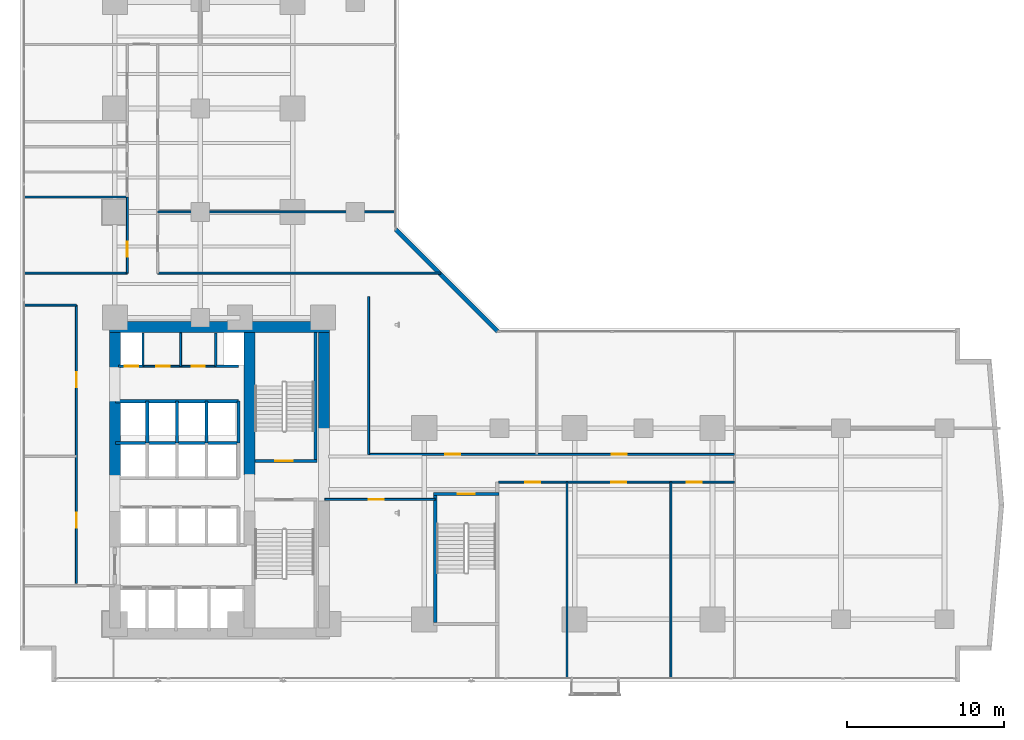
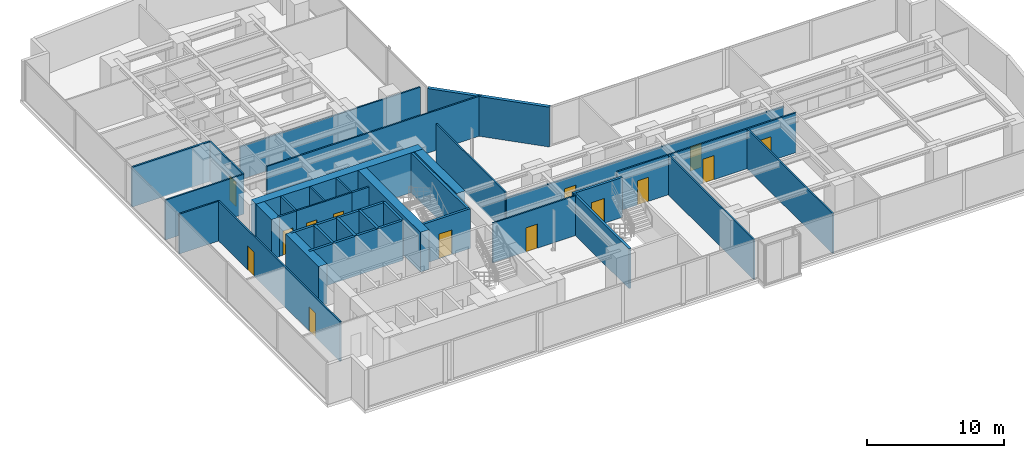
# One storey, part 23 of 30: 35 walls, 14 doors, 14 openings.
"""IFC4 building model written with IfcOpenShell, lengths in metres."""

from ifc_helpers import new_model, si_unit, direction, frame, frame_2d, origin, place, context, subcontext, project, spatial, rectangle, extrude, material, layer, layer_set, type_object, element, fill, save


model = new_model("IFC4")

# Units and contexts
model_context = context("Model", 3, precision=1e-05, world=origin(), true_north=direction((0.0, 1.0)))
body_context = subcontext(model_context, "Body", "Model", "MODEL_VIEW")
ifc_project = project(units=[si_unit("LENGTHUNIT", "METRE"), si_unit("AREAUNIT", "SQUARE_METRE"), si_unit("VOLUMEUNIT", "CUBIC_METRE"), si_unit("PLANEANGLEUNIT", "RADIAN"), si_unit("MASSUNIT", "GRAM", prefix="KILO")], contexts=[model_context])

# Site, building, storey
site_placement = place(None, origin())
site = spatial("IfcSite", under=ifc_project, at=site_placement, CompositionType="ELEMENT")
building_placement = place(site_placement, origin())
building = spatial("IfcBuilding", under=site, at=building_placement, Name="Kolvaren Waterfront Exchange", CompositionType="ELEMENT")
storey_placement = place(building_placement, frame((0.0, 0.0, 71.39990234375)))
storey = spatial("IfcBuildingStorey", under=building, at=storey_placement, Name="L18", CompositionType="ELEMENT", Elevation=71.39990234375)

# Wall
ifc_material_1 = material(Name="Precast concrete C40/50", Category="concrete")
ifc_layer_1 = layer(ifc_material_1, 0.280029296875, Name="Precast concrete C40/50")
ifc_layer_set_1 = layer_set([ifc_layer_1], Name="Precast concrete C40/50")
wall_type_1 = type_object("IfcWallType", Name="ARC-EXT-TERR-280", PredefinedType="SOLIDWALL", material=ifc_layer_set_1)
wall_1_placement = place(storey_placement, frame((31.885009765625, 23.574951171875, 0.0), z_axis=(0.0, 0.0, 1.0), x_axis=(-0.707106781187, 0.707106781187, 0.0)))
element("IfcWall", 1, at=wall_1_placement, inside=storey, type_object=wall_type_1, Name="L18 notched corner spandrel pier ELBOW", PredefinedType="SOLIDWALL", context=body_context, shape_type="SweptSolid", body=[
    extrude(rectangle(XDim=9.20654296875, YDim=0.280029296875, at=frame_2d((4.603271484375, 0.0))), origin(), (0.0, 0.0, 1.0), 3.5400390625),
])

# Wall, opening, door
ifc_layer_2 = layer(ifc_material_1, 0.199951171875, Name="Precast concrete C40/50")
ifc_layer_set_2 = layer_set([ifc_layer_2], Name="Precast concrete C40/50")
wall_type_2 = type_object("IfcWallType", Name="ARC-FIRE-200", PredefinedType="PARTITIONING", material=ifc_layer_set_2)
wall_2_placement = place(storey_placement, frame((16.409912109375, 15.300048828125, 0.0), z_axis=(0.0, 0.0, 1.0), x_axis=(1.0, 0.0, 0.0)))
wall_2 = element("IfcWall", 2, at=wall_2_placement, inside=storey, type_object=wall_type_2, Name="L18 interior wall PW-L18-ST2-THROAT-N", PredefinedType="PARTITIONING", context=body_context, shape_type="SweptSolid", body=[
    extrude(rectangle(XDim=3.9501953125, YDim=0.199951171875, at=frame_2d((1.97509765625, 0.0))), origin(), (0.0, 0.0, 1.0), 3.5400390625),
])
opening_1_placement = place(wall_2_placement, frame((1.293701171875, 0.0, 0.0)))
opening_1 = element("IfcOpeningElement", 3, at=opening_1_placement, cuts=wall_2, Name="Opening FD2", PredefinedType="OPENING", context=body_context, shape_type="SweptSolid", body=[
    extrude(rectangle(XDim=1.10009765625, YDim=2.199951171875, at=frame_2d((0.550048828125, 1.10009765625))), frame((0.0, 0.10986328125, 0.0), z_axis=(0.0, -1.0, 0.0), x_axis=(1.0, 0.0, 0.0)), (0.0, 0.0, 1.0), 0.219970703125),
])
ifc_material_2 = material(Name="Pressed steel smoke-seal fire door", Category="steel")
door_type_1 = type_object("IfcDoorType", Name="ARC-FD-1100", OperationType="NOTDEFINED", PredefinedType="DOOR", material=ifc_material_2)
door_1_placement = place(opening_1_placement, origin())
door_1 = element("IfcDoor", 4, at=door_1_placement, inside=storey, type_object=door_type_1, Name="L18 door DR-L18-ST2-IN (FD2)", OperationType="SINGLE_SWING_LEFT", OverallHeight=2.199951171875, OverallWidth=1.10009765625, PredefinedType="DOOR", context=body_context, shape_type="SweptSolid", body=[
    extrude(rectangle(XDim=1.10009765625, YDim=2.199951171875, at=frame_2d((0.550048828125, 1.10009765625))), frame((0.0, 0.02490234375, 0.0), z_axis=(0.0, -1.0, 0.0), x_axis=(1.0, 0.0, 0.0)), (0.0, 0.0, 1.0), 0.050048828125),
])
fill(opening_1, door_1)

# Wall, openings, doors
ifc_material_3 = material(Name="Acoustic gypsum steel stud", Category="steel")
ifc_layer_3 = layer(ifc_material_3, 0.125, Name="Acoustic gypsum steel stud")
ifc_layer_set_3 = layer_set([ifc_layer_3], Name="Acoustic gypsum steel stud")
wall_type_3 = type_object("IfcWallType", Name="ARC-PART-125", PredefinedType="PARTITIONING", material=ifc_layer_set_3)
wall_3_placement = place(storey_placement, frame((9.25, 21.35009765625, 0.0), z_axis=(0.0, 0.0, 1.0), x_axis=(1.0, 0.0, 0.0)))
wall_3 = element("IfcWall", 5, at=wall_3_placement, inside=storey, type_object=wall_type_3, Name="L18 interior wall PW-L18-SVC-EX-S", PredefinedType="PARTITIONING", context=body_context, shape_type="SweptSolid", body=[
    extrude(rectangle(XDim=4.64990234375, YDim=0.125, at=frame_2d((2.324951171875, 0.0))), origin(), (0.0, 0.0, 1.0), 3.5400390625),
])
opening_2_placement = place(wall_3_placement, frame((0.85009765625, 0.0, 0.0)))
opening_2 = element("IfcOpeningElement", 6, at=opening_2_placement, cuts=wall_3, Name="Opening D01", PredefinedType="OPENING", context=body_context, shape_type="SweptSolid", body=[
    extrude(rectangle(XDim=0.85009765625, YDim=2.14990234375, at=frame_2d((0.425048828125, 1.074951171875))), frame((0.0, 0.072509765625, 0.0), z_axis=(0.0, -1.0, 0.0), x_axis=(1.0, 0.0, 0.0)), (0.0, 0.0, 1.0), 0.14501953125),
])
opening_3_placement = place(wall_3_placement, frame((3.10009765625, 0.0, 0.0)))
opening_3 = element("IfcOpeningElement", 7, at=opening_3_placement, cuts=wall_3, Name="Opening D01", PredefinedType="OPENING", context=body_context, shape_type="SweptSolid", body=[
    extrude(rectangle(XDim=0.85009765625, YDim=2.14990234375, at=frame_2d((0.425048828125, 1.074951171875))), frame((0.0, 0.072509765625, 0.0), z_axis=(0.0, -1.0, 0.0), x_axis=(1.0, 0.0, 0.0)), (0.0, 0.0, 1.0), 0.14501953125),
])
ifc_material_4 = material(Name="Oak veneer timber leaf", Category="wood")
door_type_2 = type_object("IfcDoorType", Name="ARC-DR-900", OperationType="NOTDEFINED", PredefinedType="DOOR", material=ifc_material_4)
door_2_placement = place(opening_2_placement, origin())
door_2 = element("IfcDoor", 8, at=door_2_placement, inside=storey, type_object=door_type_2, Name="L18 door DR-L18-SVC-DR-1 (D01)", OperationType="SINGLE_SWING_LEFT", OverallHeight=2.14990234375, OverallWidth=0.85009765625, PredefinedType="DOOR", context=body_context, shape_type="SweptSolid", body=[
    extrude(rectangle(XDim=0.85009765625, YDim=2.14990234375, at=frame_2d((0.425048828125, 1.074951171875))), frame((0.0, 0.02490234375, 0.0), z_axis=(0.0, -1.0, 0.0), x_axis=(1.0, 0.0, 0.0)), (0.0, 0.0, 1.0), 0.050048828125),
])
fill(opening_2, door_2)
door_3_placement = place(opening_3_placement, origin())
door_3 = element("IfcDoor", 9, at=door_3_placement, inside=storey, type_object=door_type_2, Name="L18 door DR-L18-SVC-DR-2 (D01)", OperationType="SINGLE_SWING_RIGHT", OverallHeight=2.14990234375, OverallWidth=0.85009765625, PredefinedType="DOOR", context=body_context, shape_type="SweptSolid", body=[
    extrude(rectangle(XDim=0.85009765625, YDim=2.14990234375, at=frame_2d((0.425048828125, 1.074951171875))), frame((0.0, 0.02490234375, 0.0), z_axis=(0.0, -1.0, 0.0), x_axis=(1.0, 0.0, 0.0)), (0.0, 0.0, 1.0), 0.050048828125),
])
fill(opening_3, door_3)

# Wall
wall_4_placement = place(storey_placement, frame((11.64990234375, 21.35009765625, 0.0), z_axis=(0.0, 0.0, 1.0), x_axis=(0.0, 1.0, 0.0)))
element("IfcWall", 10, at=wall_4_placement, inside=storey, type_object=wall_type_3, Name="L18 interior wall PW-L18-SVC-EX-M1", PredefinedType="PARTITIONING", context=body_context, shape_type="SweptSolid", body=[
    extrude(rectangle(XDim=2.1298828125, YDim=0.125, at=frame_2d((1.06494140625, 0.0))), origin(), (0.0, 0.0, 1.0), 3.5400390625),
])

# Wall, opening, door
wall_5_placement = place(storey_placement, frame((8.25, 27.300048828125, 0.0), z_axis=(0.0, 0.0, 1.0), x_axis=(0.0, 1.0, 0.0)))
wall_5 = element("IfcWall", 11, at=wall_5_placement, inside=storey, type_object=wall_type_3, Name="L18 interior wall PW-L18-PREWC-E", PredefinedType="PARTITIONING", context=body_context, shape_type="SweptSolid", body=[
    extrude(rectangle(XDim=4.849853515625, YDim=0.125, at=frame_2d((2.4248046875, 0.0))), origin(), (0.0, 0.0, 1.0), 3.5400390625),
])
opening_4_placement = place(wall_5_placement, frame((1.050048828125, 0.0, 0.0)))
opening_4 = element("IfcOpeningElement", 12, at=opening_4_placement, cuts=wall_5, Name="Opening D02", PredefinedType="OPENING", context=body_context, shape_type="SweptSolid", body=[
    extrude(rectangle(XDim=0.949951171875, YDim=2.14990234375, at=frame_2d((0.47509765625, 1.074951171875))), frame((0.0, 0.072509765625, 0.0), z_axis=(0.0, -1.0, 0.0), x_axis=(1.0, 0.0, 0.0)), (0.0, 0.0, 1.0), 0.14501953125),
])
ifc_material_5 = material(Name="Oak veneer acoustic timber", Category="wood")
door_type_3 = type_object("IfcDoorType", Name="ARC-DR-950", OperationType="NOTDEFINED", PredefinedType="DOOR", material=ifc_material_5)
door_4_placement = place(opening_4_placement, origin())
door_4 = element("IfcDoor", 13, at=door_4_placement, inside=storey, type_object=door_type_3, Name="L18 door DR-L18-PREWC-D (D02)", OperationType="SINGLE_SWING_LEFT", OverallHeight=2.14990234375, OverallWidth=0.949951171875, PredefinedType="DOOR", context=body_context, shape_type="SweptSolid", body=[
    extrude(rectangle(XDim=0.949951171875, YDim=2.14990234375, at=frame_2d((0.47509765625, 1.074951171875))), frame((0.0, 0.02490234375, 0.0), z_axis=(0.0, -1.0, 0.0), x_axis=(1.0, 0.0, 0.0)), (0.0, 0.0, 1.0), 0.050048828125),
])
fill(opening_4, door_4)

# Wall
wall_6_placement = place(storey_placement, frame((1.639892578125, 27.300048828125, 0.0), z_axis=(0.0, 0.0, 1.0), x_axis=(1.0, 0.0, 0.0)))
element("IfcWall", 14, at=wall_6_placement, inside=storey, type_object=wall_type_3, Name="L18 interior wall PW-L18-PREWC-S", PredefinedType="PARTITIONING", context=body_context, shape_type="SweptSolid", body=[
    extrude(rectangle(XDim=6.610107421875, YDim=0.125, at=frame_2d((3.30517578125, 0.0))), origin(), (0.0, 0.0, 1.0), 3.5400390625),
])

# Wall, openings, doors
wall_7_placement = place(storey_placement, frame((5.0, 7.5, 0.0), z_axis=(0.0, 0.0, 1.0), x_axis=(0.0, 1.0, 0.0)))
wall_7 = element("IfcWall", 15, at=wall_7_placement, inside=storey, type_object=wall_type_3, Name="L18 interior wall PW-L18-WFLANK-E", PredefinedType="PARTITIONING", context=body_context, shape_type="SweptSolid", body=[
    extrude(rectangle(XDim=17.75, YDim=0.125, at=frame_2d((8.875, 0.0))), origin(), (0.0, 0.0, 1.0), 3.5400390625),
])
opening_5_placement = place(wall_7_placement, frame((3.550048828125, 0.0, 0.0)))
opening_5 = element("IfcOpeningElement", 16, at=opening_5_placement, cuts=wall_7, Name="Opening D02", PredefinedType="OPENING", context=body_context, shape_type="SweptSolid", body=[
    extrude(rectangle(XDim=0.949951171875, YDim=2.14990234375, at=frame_2d((0.47509765625, 1.074951171875))), frame((0.0, 0.072509765625, 0.0), z_axis=(0.0, -1.0, 0.0), x_axis=(1.0, 0.0, 0.0)), (0.0, 0.0, 1.0), 0.14501953125),
])
opening_6_placement = place(wall_7_placement, frame((12.52099609375, 0.0, 0.0)))
opening_6 = element("IfcOpeningElement", 17, at=opening_6_placement, cuts=wall_7, Name="Opening D02", PredefinedType="OPENING", context=body_context, shape_type="SweptSolid", body=[
    extrude(rectangle(XDim=0.949951171875, YDim=2.14990234375, at=frame_2d((0.47509765625, 1.074951171875))), frame((0.0, 0.072509765625, 0.0), z_axis=(0.0, -1.0, 0.0), x_axis=(1.0, 0.0, 0.0)), (0.0, 0.0, 1.0), 0.14501953125),
])
door_5_placement = place(opening_5_placement, origin())
door_5 = element("IfcDoor", 18, at=door_5_placement, inside=storey, type_object=door_type_3, Name="L18 door DR-L18-WFL1-D (D02)", OperationType="SINGLE_SWING_RIGHT", OverallHeight=2.14990234375, OverallWidth=0.949951171875, PredefinedType="DOOR", context=body_context, shape_type="SweptSolid", body=[
    extrude(rectangle(XDim=0.949951171875, YDim=2.14990234375, at=frame_2d((0.47509765625, 1.074951171875))), frame((0.0, 0.02490234375, 0.0), z_axis=(0.0, -1.0, 0.0), x_axis=(1.0, 0.0, 0.0)), (0.0, 0.0, 1.0), 0.050048828125),
])
fill(opening_5, door_5)
door_6_placement = place(opening_6_placement, origin())
door_6 = element("IfcDoor", 19, at=door_6_placement, inside=storey, type_object=door_type_3, Name="L18 door DR-L18-WFL2-D (D02)", OperationType="SINGLE_SWING_LEFT", OverallHeight=2.14990234375, OverallWidth=0.949951171875, PredefinedType="DOOR", context=body_context, shape_type="SweptSolid", body=[
    extrude(rectangle(XDim=0.949951171875, YDim=2.14990234375, at=frame_2d((0.47509765625, 1.074951171875))), frame((0.0, 0.02490234375, 0.0), z_axis=(0.0, -1.0, 0.0), x_axis=(1.0, 0.0, 0.0)), (0.0, 0.0, 1.0), 0.050048828125),
])
fill(opening_6, door_6)

# Wall
wall_8_placement = place(storey_placement, frame((1.639892578125, 25.25, 0.0), z_axis=(0.0, 0.0, 1.0), x_axis=(1.0, 0.0, 0.0)))
element("IfcWall", 20, at=wall_8_placement, inside=storey, type_object=wall_type_3, Name="L18 interior wall PW-L18-WFLANK-N", PredefinedType="PARTITIONING", context=body_context, shape_type="SweptSolid", body=[
    extrude(rectangle(XDim=3.360107421875, YDim=0.125, at=frame_2d((1.68017578125, 0.0))), origin(), (0.0, 0.0, 1.0), 3.5400390625),
])

# Wall, opening, door
wall_9_placement = place(storey_placement, frame((20.85009765625, 12.85009765625, 0.0), z_axis=(0.0, 0.0, 1.0), x_axis=(1.0, 0.0, 0.0)))
wall_9 = element("IfcWall", 21, at=wall_9_placement, inside=storey, type_object=wall_type_3, Name="L18 interior wall PW-L18-SWST3-N", PredefinedType="PARTITIONING", context=body_context, shape_type="SweptSolid", body=[
    extrude(rectangle(XDim=7.0498046875, YDim=0.125, at=frame_2d((3.52490234375, 0.0))), origin(), (0.0, 0.0, 1.0), 3.5400390625),
])
opening_7_placement = place(wall_9_placement, frame((2.800048828125, 0.0, 0.0)))
opening_7 = element("IfcOpeningElement", 22, at=opening_7_placement, cuts=wall_9, Name="Opening D02", PredefinedType="OPENING", context=body_context, shape_type="SweptSolid", body=[
    extrude(rectangle(XDim=0.949951171875, YDim=2.14990234375, at=frame_2d((0.47509765625, 1.074951171875))), frame((0.0, 0.072509765625, 0.0), z_axis=(0.0, -1.0, 0.0), x_axis=(1.0, 0.0, 0.0)), (0.0, 0.0, 1.0), 0.14501953125),
])
door_7_placement = place(opening_7_placement, origin())
door_7 = element("IfcDoor", 23, at=door_7_placement, inside=storey, type_object=door_type_3, Name="L18 door DR-L18-SWST3-D (D02)", OperationType="SINGLE_SWING_RIGHT", OverallHeight=2.14990234375, OverallWidth=0.949951171875, PredefinedType="DOOR", context=body_context, shape_type="SweptSolid", body=[
    extrude(rectangle(XDim=0.949951171875, YDim=2.14990234375, at=frame_2d((0.47509765625, 1.074951171875))), frame((0.0, 0.02490234375, 0.0), z_axis=(0.0, -1.0, 0.0), x_axis=(1.0, 0.0, 0.0)), (0.0, 0.0, 1.0), 0.050048828125),
])
fill(opening_7, door_7)

# Wall, openings, doors
wall_10_placement = place(storey_placement, frame((31.949951171875, 13.949951171875, 0.0), z_axis=(0.0, 0.0, 1.0), x_axis=(1.0, 0.0, 0.0)))
wall_10 = element("IfcWall", 24, at=wall_10_placement, inside=storey, type_object=wall_type_3, Name="L18 interior wall PW-L18-ES-CORR", PredefinedType="PARTITIONING", context=body_context, shape_type="SweptSolid", body=[
    extrude(rectangle(XDim=15.050048828125, YDim=0.125, at=frame_2d((7.52490234375, 0.0))), origin(), (0.0, 0.0, 1.0), 3.5400390625),
])
opening_8_placement = place(wall_10_placement, frame((1.705078125, 0.0, 0.0)))
opening_8 = element("IfcOpeningElement", 25, at=opening_8_placement, cuts=wall_10, Name="Opening D02", PredefinedType="OPENING", context=body_context, shape_type="SweptSolid", body=[
    extrude(rectangle(XDim=0.949951171875, YDim=2.14990234375, at=frame_2d((0.47509765625, 1.074951171875))), frame((0.0, 0.072509765625, 0.0), z_axis=(0.0, -1.0, 0.0), x_axis=(1.0, 0.0, 0.0)), (0.0, 0.0, 1.0), 0.14501953125),
])
opening_9_placement = place(wall_10_placement, frame((7.199951171875, 0.0, 0.0)))
opening_9 = element("IfcOpeningElement", 26, at=opening_9_placement, cuts=wall_10, Name="Opening D02", PredefinedType="OPENING", context=body_context, shape_type="SweptSolid", body=[
    extrude(rectangle(XDim=0.949951171875, YDim=2.14990234375, at=frame_2d((0.47509765625, 1.074951171875))), frame((0.0, 0.072509765625, 0.0), z_axis=(0.0, -1.0, 0.0), x_axis=(1.0, 0.0, 0.0)), (0.0, 0.0, 1.0), 0.14501953125),
])
opening_10_placement = place(wall_10_placement, frame((11.994384765625, 0.0, 0.0)))
opening_10 = element("IfcOpeningElement", 27, at=opening_10_placement, cuts=wall_10, Name="Opening D02", PredefinedType="OPENING", context=body_context, shape_type="SweptSolid", body=[
    extrude(rectangle(XDim=0.949951171875, YDim=2.14990234375, at=frame_2d((0.47509765625, 1.074951171875))), frame((0.0, 0.072509765625, 0.0), z_axis=(0.0, -1.0, 0.0), x_axis=(1.0, 0.0, 0.0)), (0.0, 0.0, 1.0), 0.14501953125),
])
door_8_placement = place(opening_8_placement, origin())
door_8 = element("IfcDoor", 28, at=door_8_placement, inside=storey, type_object=door_type_3, Name="L18 door DR-L18-ES-D-1 (D02)", OperationType="SINGLE_SWING_LEFT", OverallHeight=2.14990234375, OverallWidth=0.949951171875, PredefinedType="DOOR", context=body_context, shape_type="SweptSolid", body=[
    extrude(rectangle(XDim=0.949951171875, YDim=2.14990234375, at=frame_2d((0.47509765625, 1.074951171875))), frame((0.0, 0.02490234375, 0.0), z_axis=(0.0, -1.0, 0.0), x_axis=(1.0, 0.0, 0.0)), (0.0, 0.0, 1.0), 0.050048828125),
])
fill(opening_8, door_8)
door_9_placement = place(opening_9_placement, origin())
door_9 = element("IfcDoor", 29, at=door_9_placement, inside=storey, type_object=door_type_3, Name="L18 door DR-L18-ES-D-2 (D02)", OperationType="SINGLE_SWING_RIGHT", OverallHeight=2.14990234375, OverallWidth=0.949951171875, PredefinedType="DOOR", context=body_context, shape_type="SweptSolid", body=[
    extrude(rectangle(XDim=0.949951171875, YDim=2.14990234375, at=frame_2d((0.47509765625, 1.074951171875))), frame((0.0, 0.02490234375, 0.0), z_axis=(0.0, -1.0, 0.0), x_axis=(1.0, 0.0, 0.0)), (0.0, 0.0, 1.0), 0.050048828125),
])
fill(opening_9, door_9)
door_10_placement = place(opening_10_placement, origin())
door_10 = element("IfcDoor", 30, at=door_10_placement, inside=storey, type_object=door_type_3, Name="L18 door DR-L18-ES-D-3 (D02)", OperationType="SINGLE_SWING_LEFT", OverallHeight=2.14990234375, OverallWidth=0.949951171875, PredefinedType="DOOR", context=body_context, shape_type="SweptSolid", body=[
    extrude(rectangle(XDim=0.949951171875, YDim=2.14990234375, at=frame_2d((0.47509765625, 1.074951171875))), frame((0.0, 0.02490234375, 0.0), z_axis=(0.0, -1.0, 0.0), x_axis=(1.0, 0.0, 0.0)), (0.0, 0.0, 1.0), 0.050048828125),
])
fill(opening_10, door_10)

# Walls
for number, where, z_axis, x_axis, name in (
    (31, (36.31005859375, 1.43994140625, 0.0), (0.0, 0.0, 1.0), (0.0, 1.0, 0.0), "L18 interior wall PW-L18-ES-DIV-1"),
    (32, (42.93994140625, 1.43994140625, 0.0), (0.0, 0.0, 1.0), (0.0, 1.0, 0.0), "L18 interior wall PW-L18-ES-DIV-2"),
):
    element("IfcWall", number, at=place(storey_placement, frame(where, z_axis=z_axis, x_axis=x_axis)), inside=storey, type_object=wall_type_3, Name=name, PredefinedType="PARTITIONING", context=body_context, shape_type="SweptSolid", body=[
        extrude(rectangle(XDim=12.510009765625, YDim=0.125, at=frame_2d((6.2548828125, 0.0))), origin(), (0.0, 0.0, 1.0), 3.5400390625),
    ])
wall_11_placement = place(storey_placement, frame((23.64990234375, 15.72998046875, 0.0), z_axis=(0.0, 0.0, 1.0), x_axis=(0.0, 1.0, 0.0)))
element("IfcWall", 33, at=wall_11_placement, inside=storey, type_object=wall_type_3, Name="L18 interior wall PW-L18-EN-W0", PredefinedType="PARTITIONING", context=body_context, shape_type="SweptSolid", body=[
    extrude(rectangle(XDim=10.070068359375, YDim=0.125, at=frame_2d((5.03515625, 0.0))), origin(), (0.0, 0.0, 1.0), 3.5400390625),
])

# Wall, openings, doors
wall_12_placement = place(storey_placement, frame((23.64990234375, 15.72998046875, 0.0), z_axis=(0.0, 0.0, 1.0), x_axis=(1.0, 0.0, 0.0)))
wall_12 = element("IfcWall", 34, at=wall_12_placement, inside=storey, type_object=wall_type_3, Name="L18 interior wall PW-L18-EN-CORR", PredefinedType="PARTITIONING", context=body_context, shape_type="SweptSolid", body=[
    extrude(rectangle(XDim=23.35009765625, YDim=0.125, at=frame_2d((11.675048828125, 0.0))), origin(), (0.0, 0.0, 1.0), 3.0400390625),
])
opening_11_placement = place(wall_12_placement, frame((4.89501953125, 0.0, 0.0)))
opening_11 = element("IfcOpeningElement", 35, at=opening_11_placement, cuts=wall_12, Name="Opening D02", PredefinedType="OPENING", context=body_context, shape_type="SweptSolid", body=[
    extrude(rectangle(XDim=0.949951171875, YDim=2.14990234375, at=frame_2d((0.47509765625, 1.074951171875))), frame((0.0, 0.072509765625, 0.0), z_axis=(0.0, -1.0, 0.0), x_axis=(1.0, 0.0, 0.0)), (0.0, 0.0, 1.0), 0.14501953125),
])
opening_12_placement = place(wall_12_placement, frame((15.51220703125, 0.0, 0.0)))
opening_12 = element("IfcOpeningElement", 36, at=opening_12_placement, cuts=wall_12, Name="Opening D02", PredefinedType="OPENING", context=body_context, shape_type="SweptSolid", body=[
    extrude(rectangle(XDim=0.949951171875, YDim=2.14990234375, at=frame_2d((0.47509765625, 1.074951171875))), frame((0.0, 0.072509765625, 0.0), z_axis=(0.0, -1.0, 0.0), x_axis=(1.0, 0.0, 0.0)), (0.0, 0.0, 1.0), 0.14501953125),
])
door_11_placement = place(opening_11_placement, origin())
door_11 = element("IfcDoor", 37, at=door_11_placement, inside=storey, type_object=door_type_3, Name="L18 door DR-L18-EN-D-1 (D02)", OperationType="SINGLE_SWING_RIGHT", OverallHeight=2.14990234375, OverallWidth=0.949951171875, PredefinedType="DOOR", context=body_context, shape_type="SweptSolid", body=[
    extrude(rectangle(XDim=0.949951171875, YDim=2.14990234375, at=frame_2d((0.47509765625, 1.074951171875))), frame((0.0, 0.02490234375, 0.0), z_axis=(0.0, -1.0, 0.0), x_axis=(1.0, 0.0, 0.0)), (0.0, 0.0, 1.0), 0.050048828125),
])
fill(opening_11, door_11)
door_12_placement = place(opening_12_placement, origin())
door_12 = element("IfcDoor", 38, at=door_12_placement, inside=storey, type_object=door_type_3, Name="L18 door DR-L18-EN-D-2 (D02)", OperationType="SINGLE_SWING_LEFT", OverallHeight=2.14990234375, OverallWidth=0.949951171875, PredefinedType="DOOR", context=body_context, shape_type="SweptSolid", body=[
    extrude(rectangle(XDim=0.949951171875, YDim=2.14990234375, at=frame_2d((0.47509765625, 1.074951171875))), frame((0.0, 0.02490234375, 0.0), z_axis=(0.0, -1.0, 0.0), x_axis=(1.0, 0.0, 0.0)), (0.0, 0.0, 1.0), 0.050048828125),
])
fill(opening_12, door_12)

# Walls
wall_13_placement = place(storey_placement, frame((10.18994140625, 27.300048828125, 0.0), z_axis=(0.0, 0.0, 1.0), x_axis=(1.0, 0.0, 0.0)))
element("IfcWall", 39, at=wall_13_placement, inside=storey, type_object=wall_type_3, Name="L18 interior wall PW-L18-NE-S0", PredefinedType="PARTITIONING", context=body_context, shape_type="SweptSolid", body=[
    extrude(rectangle(XDim=18.070068359375, YDim=0.125, at=frame_2d((9.03515625, 0.0))), origin(), (0.0, 0.0, 1.0), 3.5400390625),
])
wall_14_placement = place(storey_placement, frame((10.18994140625, 31.199951171875, 0.0), z_axis=(0.0, 0.0, 1.0), x_axis=(1.0, 0.0, 0.0)))
element("IfcWall", 40, at=wall_14_placement, inside=storey, type_object=wall_type_3, Name="L18 interior wall PW-L18-NE-DIV-1", PredefinedType="PARTITIONING", context=body_context, shape_type="SweptSolid", body=[
    extrude(rectangle(XDim=15.170166015625, YDim=0.125, at=frame_2d((7.5849609375, 0.0))), origin(), (0.0, 0.0, 1.0), 2.940185546875),
])
ifc_material_6 = material(Name="Gypsum fireboard steel stud", Category="steel")
ifc_layer_4 = layer(ifc_material_6, 0.14990234375, Name="Gypsum fireboard steel stud")
ifc_layer_set_4 = layer_set([ifc_layer_4], Name="Gypsum fireboard steel stud")
wall_type_4 = type_object("IfcWallType", Name="ARC-PART-150", PredefinedType="PARTITIONING", material=ifc_layer_set_4)
for number, where, z_axis, x_axis, name in (
    (41, (9.25, 21.35009765625, 0.0), (0.0, 0.0, 1.0), (0.0, 1.0, 0.0), "L18 interior wall PW-L18-SVC-R1"),
    (42, (13.89990234375, 21.35009765625, 0.0), (0.0, 0.0, 1.0), (0.0, 1.0, 0.0), "L18 interior wall PW-L18-SVC-R2"),
):
    element("IfcWall", number, at=place(storey_placement, frame(where, z_axis=z_axis, x_axis=x_axis)), inside=storey, type_object=wall_type_4, Name=name, PredefinedType="PARTITIONING", context=body_context, shape_type="SweptSolid", body=[
        extrude(rectangle(XDim=2.1298828125, YDim=0.14990234375, at=frame_2d((1.06494140625, 0.0))), origin(), (0.0, 0.0, 1.0), 3.5400390625),
    ])

# Wall, opening, door
wall_15_placement = place(storey_placement, frame((7.699951171875, 21.35009765625, 0.0), z_axis=(0.0, 0.0, 1.0), x_axis=(1.0, 0.0, 0.0)))
wall_15 = element("IfcWall", 43, at=wall_15_placement, inside=storey, type_object=wall_type_4, Name="L18 interior wall PW-L18-SVC-RE-S", PredefinedType="PARTITIONING", context=body_context, shape_type="SweptSolid", body=[
    extrude(rectangle(XDim=1.550048828125, YDim=0.14990234375, at=frame_2d((0.77490234375, 0.0))), origin(), (0.0, 0.0, 1.0), 3.5400390625),
])
opening_13_placement = place(wall_15_placement, frame((0.389892578125, 0.0, 0.0)))
opening_13 = element("IfcOpeningElement", 44, at=opening_13_placement, cuts=wall_15, Name="Opening FD1", PredefinedType="OPENING", context=body_context, shape_type="SweptSolid", body=[
    extrude(rectangle(XDim=0.85009765625, YDim=2.14990234375, at=frame_2d((0.425048828125, 1.074951171875))), frame((0.0, 0.0849609375, 0.0), z_axis=(0.0, -1.0, 0.0), x_axis=(1.0, 0.0, 0.0)), (0.0, 0.0, 1.0), 0.169921875),
])
ifc_material_7 = material(Name="Pressed steel fire leaf", Category="steel")
door_type_4 = type_object("IfcDoorType", Name="ARC-FD-900", OperationType="NOTDEFINED", PredefinedType="DOOR", material=ifc_material_7)
door_13_placement = place(opening_13_placement, origin())
door_13 = element("IfcDoor", 45, at=door_13_placement, inside=storey, type_object=door_type_4, Name="L18 door DR-L18-RISER-E-DR (FD1)", OperationType="SINGLE_SWING_RIGHT", OverallHeight=2.14990234375, OverallWidth=0.85009765625, PredefinedType="DOOR", context=body_context, shape_type="SweptSolid", body=[
    extrude(rectangle(XDim=0.85009765625, YDim=2.14990234375, at=frame_2d((0.425048828125, 1.074951171875))), frame((0.0, 0.02490234375, 0.0), z_axis=(0.0, -1.0, 0.0), x_axis=(1.0, 0.0, 0.0)), (0.0, 0.0, 1.0), 0.050048828125),
])
fill(opening_13, door_13)

# Walls
wall_16_placement = place(storey_placement, frame((13.89990234375, 21.35009765625, 0.0), z_axis=(0.0, 0.0, 1.0), x_axis=(1.0, 0.0, 0.0)))
element("IfcWall", 46, at=wall_16_placement, inside=storey, type_object=wall_type_4, Name="L18 interior wall PW-L18-SVC-RP-S", PredefinedType="PARTITIONING", context=body_context, shape_type="SweptSolid", body=[
    extrude(rectangle(XDim=1.4501953125, YDim=0.14990234375, at=frame_2d((0.72509765625, 0.0))), origin(), (0.0, 0.0, 1.0), 3.5400390625),
])
ifc_material_8 = material(Name="Moisture-resistant gypsum stud")
ifc_layer_5 = layer(ifc_material_8, 0.14990234375, Name="Moisture-resistant gypsum stud")
ifc_layer_set_5 = layer_set([ifc_layer_5], Name="Moisture-resistant gypsum stud")
wall_type_5 = type_object("IfcWallType", Name="ARC-PLUMB-150", PredefinedType="PLUMBINGWALL", material=ifc_layer_set_5)
wall_17_placement = place(storey_placement, frame((1.639892578125, 32.14990234375, 0.0), z_axis=(0.0, 0.0, 1.0), x_axis=(1.0, 0.0, 0.0)))
element("IfcWall", 47, at=wall_17_placement, inside=storey, type_object=wall_type_5, Name="L18 interior wall PW-L18-WC-0", PredefinedType="PLUMBINGWALL", context=body_context, shape_type="SweptSolid", body=[
    extrude(rectangle(XDim=6.610107421875, YDim=0.14990234375, at=frame_2d((3.30517578125, 0.0))), origin(), (0.0, 0.0, 1.0), 3.5400390625),
])
ifc_material_9 = material(Name="Concrete C40/50", Category="concrete")
ifc_layer_6 = layer(ifc_material_9, 0.199951171875, Name="Concrete C40/50")
ifc_layer_set_6 = layer_set([ifc_layer_6], Name="Concrete C40/50")
wall_type_6 = type_object("IfcWallType", Name="ARC-SHAFT-200", PredefinedType="PARTITIONING", material=ifc_layer_set_6)
wall_18_placement = place(storey_placement, frame((20.260009765625, 15.39990234375, 0.0), z_axis=(0.0, 0.0, 1.0), x_axis=(0.0, 1.0, 0.0)))
element("IfcWall", 48, at=wall_18_placement, inside=storey, type_object=wall_type_6, Name="L18 structural stairwell wall PW-L18-ST2-E", PredefinedType="SHEAR", context=body_context, shape_type="SweptSolid", body=[
    extrude(rectangle(XDim=8.090087890625, YDim=0.199951171875, at=frame_2d((4.044921875, 0.0))), origin(), (0.0, 0.0, 1.0), 3.5400390625),
])
wall_19_placement = place(storey_placement, frame((27.89990234375, 5.0, 0.0), z_axis=(0.0, 0.0, 1.0), x_axis=(0.0, 1.0, 0.0)))
element("IfcWall", 49, at=wall_19_placement, inside=storey, type_object=wall_type_6, Name="L18 structural stairwell wall PW-L18-ST3-W", PredefinedType="SHEAR", context=body_context, shape_type="SweptSolid", body=[
    extrude(rectangle(XDim=8.10009765625, YDim=0.199951171875, at=frame_2d((4.050048828125, 0.0))), origin(), (0.0, 0.0, 1.0), 3.5400390625),
])

# Wall, opening, door
wall_20_placement = place(storey_placement, frame((27.800048828125, 13.199951171875, 0.0), z_axis=(0.0, 0.0, 1.0), x_axis=(1.0, 0.0, 0.0)))
wall_20 = element("IfcWall", 50, at=wall_20_placement, inside=storey, type_object=wall_type_6, Name="L18 structural stairwell wall PW-L18-ST3-N", PredefinedType="SHEAR", context=body_context, shape_type="SweptSolid", body=[
    extrude(rectangle(XDim=4.159912109375, YDim=0.199951171875, at=frame_2d((2.080078125, 0.0))), origin(), (0.0, 0.0, 1.0), 3.5400390625),
])
opening_14_placement = place(wall_20_placement, frame((1.530029296875, 0.0, 0.0)))
opening_14 = element("IfcOpeningElement", 51, at=opening_14_placement, cuts=wall_20, Name="Opening FD2", PredefinedType="OPENING", context=body_context, shape_type="SweptSolid", body=[
    extrude(rectangle(XDim=1.10009765625, YDim=2.199951171875, at=frame_2d((0.550048828125, 1.10009765625))), frame((0.0, 0.10986328125, 0.0), z_axis=(0.0, -1.0, 0.0), x_axis=(1.0, 0.0, 0.0)), (0.0, 0.0, 1.0), 0.219970703125),
])
door_14_placement = place(opening_14_placement, frame((1.10009765625, 0.0, 0.0), z_axis=(0.0, 0.0, 1.0), x_axis=(-1.0, 0.0, 0.0)))
door_14 = element("IfcDoor", 52, at=door_14_placement, inside=storey, type_object=door_type_1, Name="L18 door DR-L18-ST3-IN (FD2)", OperationType="SINGLE_SWING_RIGHT", OverallHeight=2.199951171875, OverallWidth=1.10009765625, PredefinedType="DOOR", context=body_context, shape_type="SweptSolid", body=[
    extrude(rectangle(XDim=1.10009765625, YDim=2.199951171875, at=frame_2d((0.550048828125, 1.10009765625))), frame((0.0, 0.02490234375, 0.0), z_axis=(0.0, -1.0, 0.0), x_axis=(1.0, 0.0, 0.0)), (0.0, 0.0, 1.0), 0.050048828125),
])
fill(opening_14, door_14)

# Walls
for number, where, z_axis, x_axis, name in (
    (53, (7.5, 16.449951171875, 0.0), (0.0, 0.0, 1.0), (1.0, 0.0, 0.0), "L18 interior wall PW-L18-PM-N"),
    (54, (7.5, 19.1201171875, 0.0), (0.0, 0.0, 1.0), (1.0, 0.0, 0.0), "L18 interior wall PW-L18-PH-N"),
):
    element("IfcWall", number, at=place(storey_placement, frame(where, z_axis=z_axis, x_axis=x_axis)), inside=storey, type_object=wall_type_6, Name=name, PredefinedType="PARTITIONING", context=body_context, shape_type="SweptSolid", body=[
        extrude(rectangle(XDim=7.85009765625, YDim=0.199951171875, at=frame_2d((3.925048828125, 0.0))), origin(), (0.0, 0.0, 1.0), 3.5400390625),
    ])
for number, where, z_axis, x_axis, name in (
    (55, (15.35009765625, 16.449951171875, 0.0), (0.0, 0.0, 1.0), (0.0, 1.0, 0.0), "L18 interior wall PW-L18-PH-E"),
    (56, (9.52001953125, 16.449951171875, 0.0), (0.0, 0.0, 1.0), (0.0, 1.0, 0.0), "L18 interior wall PW-L18-SH4-DIV-95"),
    (57, (11.409912109375, 16.449951171875, 0.0), (0.0, 0.0, 1.0), (0.0, 1.0, 0.0), "L18 interior wall PW-L18-SH4-DIV-114"),
    (58, (13.300048828125, 16.449951171875, 0.0), (0.0, 0.0, 1.0), (0.0, 1.0, 0.0), "L18 interior wall PW-L18-SH4-DIV-133"),
):
    element("IfcWall", number, at=place(storey_placement, frame(where, z_axis=z_axis, x_axis=x_axis)), inside=storey, type_object=wall_type_6, Name=name, PredefinedType="PARTITIONING", context=body_context, shape_type="SweptSolid", body=[
        extrude(rectangle(XDim=2.670166015625, YDim=0.199951171875, at=frame_2d((1.3349609375, 0.0))), origin(), (0.0, 0.0, 1.0), 3.5400390625),
    ])
ifc_material_10 = material(Name="Concrete C70/85", Category="concrete")
ifc_layer_7 = layer(ifc_material_10, 0.699951171875, Name="Concrete C70/85")
ifc_layer_set_7 = layer_set([ifc_layer_7], Name="Concrete C70/85")
wall_type_7 = type_object("IfcWallType", Name="STR-CWALL-700", PredefinedType="SHEAR", material=ifc_layer_set_7)
wall_21_placement = place(storey_placement, frame((7.10009765625, 23.85009765625, 0.0), z_axis=(0.0, 0.0, 1.0), x_axis=(1.0, 0.0, 0.0)))
element("IfcWall", 59, at=wall_21_placement, inside=storey, type_object=wall_type_7, Name="L18 rear-core shear wall N", PredefinedType="SHEAR", context=body_context, shape_type="SweptSolid", body=[
    extrude(rectangle(XDim=14.0498046875, YDim=0.699951171875, at=frame_2d((7.02490234375, 0.0))), origin(), (0.0, 0.0, 1.0), 3.5400390625),
])
wall_22_placement = place(storey_placement, frame((7.449951171875, 14.35009765625, 0.0), z_axis=(0.0, 0.0, 1.0), x_axis=(0.0, 1.0, 0.0)))
element("IfcWall", 60, at=wall_22_placement, inside=storey, type_object=wall_type_7, Name="L18 rear-core shear wall W2B", PredefinedType="SHEAR", context=body_context, shape_type="SweptSolid", body=[
    extrude(rectangle(XDim=4.809814453125, YDim=0.699951171875, at=frame_2d((2.40478515625, 0.0))), origin(), (0.0, 0.0, 1.0), 3.5400390625),
])
wall_23_placement = place(storey_placement, frame((7.449951171875, 21.239990234375, 0.0), z_axis=(0.0, 0.0, 1.0), x_axis=(0.0, 1.0, 0.0)))
element("IfcWall", 61, at=wall_23_placement, inside=storey, type_object=wall_type_7, Name="L18 rear-core shear wall W3", PredefinedType="SHEAR", context=body_context, shape_type="SweptSolid", body=[
    extrude(rectangle(XDim=2.260009765625, YDim=0.699951171875, at=frame_2d((1.1298828125, 0.0))), origin(), (0.0, 0.0, 1.0), 3.5400390625),
])
wall_24_placement = place(storey_placement, frame((20.800048828125, 17.35009765625, 0.0), z_axis=(0.0, 0.0, 1.0), x_axis=(0.0, 1.0, 0.0)))
element("IfcWall", 62, at=wall_24_placement, inside=storey, type_object=wall_type_7, Name="L18 rear-core shear wall E3", PredefinedType="SHEAR", context=body_context, shape_type="SweptSolid", body=[
    extrude(rectangle(XDim=6.14990234375, YDim=0.699951171875, at=frame_2d((3.074951171875, 0.0))), origin(), (0.0, 0.0, 1.0), 3.5400390625),
])
wall_25_placement = place(storey_placement, frame((16.050048828125, 14.39990234375, 0.0), z_axis=(0.0, 0.0, 1.0), x_axis=(0.0, 1.0, 0.0)))
element("IfcWall", 63, at=wall_25_placement, inside=storey, type_object=wall_type_7, Name="L18 rear-core shear wall M3", PredefinedType="SHEAR", context=body_context, shape_type="SweptSolid", body=[
    extrude(rectangle(XDim=9.10009765625, YDim=0.699951171875, at=frame_2d((4.550048828125, 0.0))), origin(), (0.0, 0.0, 1.0), 3.5400390625),
])

save(model, "model.ifc")
